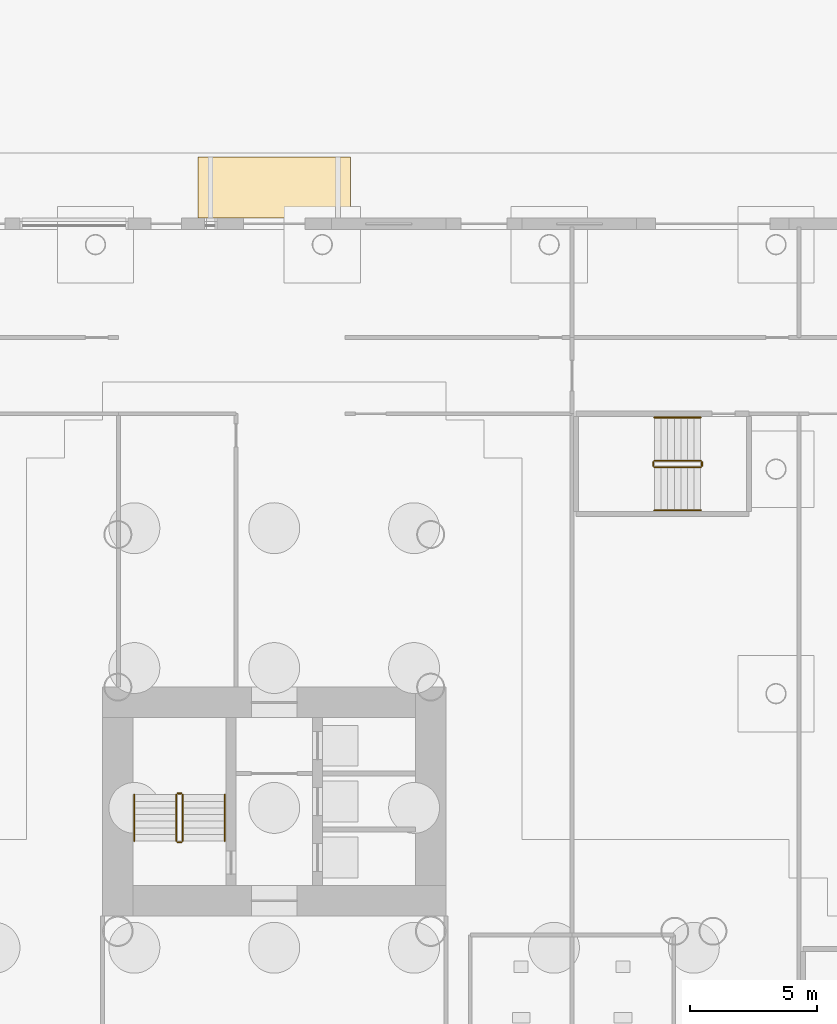
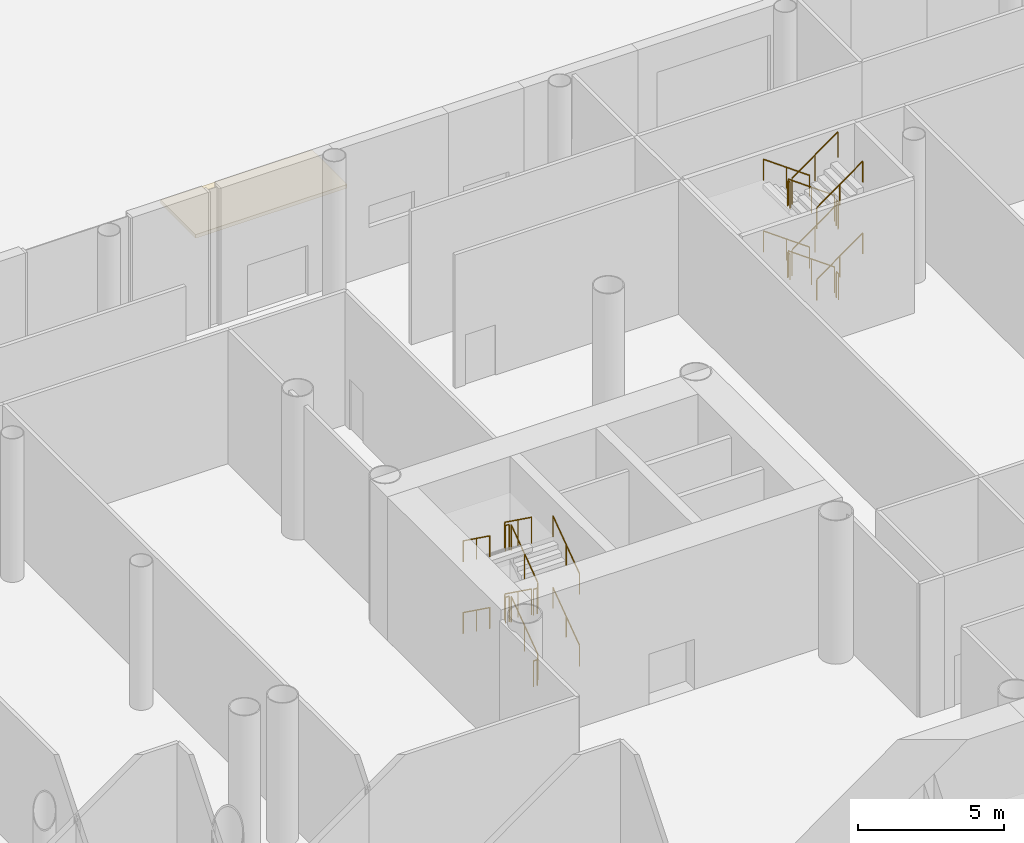
# One storey, part 72 of 75: 24 railings, 1 covering.
"""IFC4 building model written with IfcOpenShell, lengths in metres."""

import ifcopenshell
import ifcopenshell.guid

model = None  # the IFC model being written
_history = None  # IfcOwnerHistory: only IFC2X3 demands one
_inside = {}  # id of a spatial element -> (the spatial element, [elements in it])
_under = {}  # id of a project, library or spatial element -> (it, [spatial elements below it])
_declared = {}  # id of a project -> (the project, [libraries it declares])
_typed = {}  # id of a type object -> (the type object, [elements of that type])
_made_of = {}  # id of a material, layer set ... -> (it, [elements and type objects made of it])


def new_model(schema):
    """Start an empty IFC model of exactly this schema.

    Asked for "IFC4X3", IfcOpenShell would pick the latest addendum, in which some entities
    have other attributes; the version numbers below select the first issue.
    IFC2X3 requires an IfcOwnerHistory on every rooted entity: one is made here for all.
    """
    global model, _history
    if schema == "IFC4X3":
        model = ifcopenshell.file(schema_version=(4, 3, 0, 0))
    else:
        model = ifcopenshell.file(schema=schema)
    _inside.clear()
    _under.clear()
    _declared.clear()
    _typed.clear()
    _made_of.clear()
    _history = None
    if model.schema == "IFC2X3":
        org = make("IfcOrganization", Name="unknown")
        user = make(
            "IfcPersonAndOrganization",
            ThePerson=make("IfcPerson", FamilyName="unknown"),
            TheOrganization=org,
        )
        app = make(
            "IfcApplication",
            ApplicationDeveloper=org,
            Version="unknown",
            ApplicationFullName="unknown",
            ApplicationIdentifier="unknown",
        )
        _history = make(
            "IfcOwnerHistory",
            OwningUser=user,
            OwningApplication=app,
            ChangeAction="ADDED",
            CreationDate=0,
        )
    return model


def make(cls, **values):
    """One entity of the class cls with the attributes given. An attribute that is None is left unset."""
    return model.create_entity(
        cls, **{name: value for name, value in values.items() if value is not None}
    )


def rooted(cls, **values):
    """An entity with a GlobalId (a new one), such as an element, a storey or a relation."""
    return make(cls, GlobalId=ifcopenshell.guid.new(), OwnerHistory=_history, **values)


def si_unit(unit_type, name, prefix=None):
    """IfcSIUnit, for example si_unit("LENGTHUNIT", "METRE", prefix="MILLI")."""
    return make("IfcSIUnit", UnitType=unit_type, Prefix=prefix, Name=name)


def assignment(units):
    """IfcUnitAssignment: the units of a project."""
    return None if units is None else make("IfcUnitAssignment", Units=units)


def point(xyz):
    """IfcCartesianPoint."""
    return None if xyz is None else make("IfcCartesianPoint", Coordinates=xyz)


def direction(xyz):
    """IfcDirection."""
    return None if xyz is None else make("IfcDirection", DirectionRatios=xyz)


def frame(location, z_axis=None, x_axis=None):
    """IfcAxis2Placement3D, a coordinate frame: its origin and axes. An axis left out is left unset."""
    return make(
        "IfcAxis2Placement3D",
        Location=point(location),
        Axis=direction(z_axis),
        RefDirection=direction(x_axis),
    )


def frame_2d(location, x_axis=None):
    """IfcAxis2Placement2D, a coordinate frame in the plane: its origin and x axis."""
    return make(
        "IfcAxis2Placement2D", Location=point(location), RefDirection=direction(x_axis)
    )


def origin():
    """The frame at (0, 0, 0) with its axes left unset."""
    return frame((0.0, 0.0, 0.0))


def origin_2d():
    """The frame at (0, 0) in the plane with its x axis left unset."""
    return frame_2d((0.0, 0.0))


def place(relative_to, where):
    """IfcLocalPlacement: puts the frame where relative to a parent placement (None: the world)."""
    return make(
        "IfcLocalPlacement", PlacementRelTo=relative_to, RelativePlacement=where
    )


def context(
    kind, dimensions, precision=None, world=None, true_north=None, identifier=None
):
    """IfcGeometricRepresentationContext, for example the 3D "Model" context."""
    return make(
        "IfcGeometricRepresentationContext",
        ContextIdentifier=identifier,
        ContextType=kind,
        CoordinateSpaceDimension=dimensions,
        Precision=precision,
        WorldCoordinateSystem=world,
        TrueNorth=true_north,
    )


def subcontext(parent, identifier, kind, view, scale=None):
    """IfcGeometricRepresentationSubContext, for example "Body" below "Model"."""
    return make(
        "IfcGeometricRepresentationSubContext",
        ContextIdentifier=identifier,
        ContextType=kind,
        ParentContext=parent,
        TargetScale=scale,
        TargetView=view,
    )


def project(units=None, contexts=None):
    """IfcProject with its units and contexts."""
    return rooted(
        "IfcProject",
        Name="project",
        RepresentationContexts=contexts,
        UnitsInContext=assignment(units),
    )


def spatial(cls, under=None, at=None, **own):
    """A site, building, storey or space (cls), placed at a placement, below another one or the project."""
    s = rooted(cls, ObjectPlacement=at, **own)
    if under is not None:
        _under.setdefault(under.id(), (under, []))[1].append(s)
    return s


def polyline(points):
    """IfcPolyline through the points."""
    return make("IfcPolyline", Points=[point(p) for p in points])


def profile(cls, at=None, kind="AREA", **sizes):
    """A parametric profile (cls). Its sizes go by their IFC names, for example OverallWidth=200.0."""
    return make(cls, ProfileType=kind, Position=at, **sizes)


def circle(**sizes):
    """IfcCircleProfileDef."""
    return profile("IfcCircleProfileDef", **sizes)


def outline(outer, holes=None, kind="AREA"):
    """IfcArbitraryClosedProfileDef: a profile drawn as a closed curve; with holes, ...WithVoids."""
    if holes is None:
        return make("IfcArbitraryClosedProfileDef", ProfileType=kind, OuterCurve=outer)
    return make(
        "IfcArbitraryProfileDefWithVoids",
        ProfileType=kind,
        OuterCurve=outer,
        InnerCurves=holes,
    )


def extrude(swept, where, along, depth):
    """IfcExtrudedAreaSolid: the profile swept, set in the frame where, extruded along a direction by depth."""
    return make(
        "IfcExtrudedAreaSolid",
        SweptArea=swept,
        Position=where,
        ExtrudedDirection=direction(along),
        Depth=depth,
    )


def shape(context_of_items, identifier, shape_type, items):
    """IfcShapeRepresentation: the items that make up one representation, for example the "Body"."""
    return make(
        "IfcShapeRepresentation",
        ContextOfItems=context_of_items,
        RepresentationIdentifier=identifier,
        RepresentationType=shape_type,
        Items=items,
    )


def material(Name=None, Category=None):
    """IfcMaterial."""
    return make("IfcMaterial", Name=Name, Category=Category)


def layer(
    of_material, thickness, ventilated=None, Name=None, Category=None, Priority=None
):
    """IfcMaterialLayer: one layer of a wall or slab, of a material (None: an air gap)."""
    return make(
        "IfcMaterialLayer",
        Material=of_material,
        LayerThickness=thickness,
        IsVentilated=ventilated,
        Name=Name,
        Category=Category,
        Priority=Priority,
    )


def layer_set(layers, Name=None):
    """IfcMaterialLayerSet."""
    return make("IfcMaterialLayerSet", MaterialLayers=layers, LayerSetName=Name)


def made_of(thing, what):
    """Note that an element or type object is made of a material, layer set ...; save() writes the relation."""
    if what is not None:
        _made_of.setdefault(what.id(), (what, []))[1].append(thing)
    return thing


def type_object(cls, material=None, **own):
    """A type object (cls), such as IfcWallType, which elements share."""
    return made_of(rooted(cls, **own), material)


def element(
    cls,
    number,
    at=None,
    inside=None,
    cuts=None,
    type_object=None,
    material=None,
    context=None,
    identifier="Body",
    shape_type=None,
    held_by="IfcProductDefinitionShape",
    body=None,
    shapes=None,
    **own,
):
    """One element of the class cls, such as IfcWall. Its Tag is "e" and its number.

    at: its placement. inside: the storey or other place that contains it. cuts: it is an
    opening in that element (IfcRelVoidsElement). A single representation is given by context,
    identifier, shape_type and body (its items); several are given by shapes. held_by: the class
    of the entity that holds the representations. save() writes the other relations.
    """
    e = rooted(cls, Tag="e%d" % number, ObjectPlacement=at, **own)
    if body is not None:
        shapes = [shape(context, identifier, shape_type, body)]
    if shapes is not None:
        e.Representation = make(held_by, Representations=shapes)
    if inside is not None:
        _inside.setdefault(inside.id(), (inside, []))[1].append(e)
    if cuts is not None:
        rooted(
            "IfcRelVoidsElement", RelatingBuildingElement=cuts, RelatedOpeningElement=e
        )
    if type_object is not None:
        _typed.setdefault(type_object.id(), (type_object, []))[1].append(e)
    return made_of(e, material)


def aggregate(whole, parts):
    """IfcRelAggregates: a whole, such as a stair, and the parts it consists of."""
    return rooted("IfcRelAggregates", RelatingObject=whole, RelatedObjects=parts)


def save(model, path):
    """Write the relations noted so far, then the file.

    IfcRelAggregates (storeys below a building ...), IfcRelContainedInSpatialStructure (elements
    in a storey), IfcRelDefinesByType, IfcRelAssociatesMaterial and IfcRelDeclares: one each for
    every whole, place, type object, material and project.
    """
    for whole, parts in _under.values():
        aggregate(whole, parts)
    for where, things in _inside.values():
        rooted(
            "IfcRelContainedInSpatialStructure",
            RelatedElements=things,
            RelatingStructure=where,
        )
    for kind, things in _typed.values():
        rooted("IfcRelDefinesByType", RelatedObjects=things, RelatingType=kind)
    for what, things in _made_of.values():
        rooted("IfcRelAssociatesMaterial", RelatedObjects=things, RelatingMaterial=what)
    for by, libraries in _declared.values():
        rooted("IfcRelDeclares", RelatingContext=by, RelatedDefinitions=libraries)
    model.write(path)


model = new_model("IFC4")

# Units and contexts
model_context = context("Model", 3, precision=1e-05, world=origin(), true_north=direction((0.0, 1.0)))
body_context = subcontext(model_context, "Body", "Model", "MODEL_VIEW")
ifc_project = project(units=[si_unit("LENGTHUNIT", "METRE"), si_unit("AREAUNIT", "SQUARE_METRE"), si_unit("VOLUMEUNIT", "CUBIC_METRE"), si_unit("PLANEANGLEUNIT", "RADIAN"), si_unit("MASSUNIT", "GRAM", prefix="KILO")], contexts=[model_context])

# Site, building, storey
site_placement = place(None, origin())
site = spatial("IfcSite", under=ifc_project, at=site_placement, CompositionType="ELEMENT")
building_placement = place(site_placement, origin())
building = spatial("IfcBuilding", under=site, at=building_placement, Name="Ipe Terrace Towers", CompositionType="ELEMENT")
storey_placement = place(building_placement, origin())
storey = spatial("IfcBuildingStorey", under=building, at=storey_placement, Name="L00", CompositionType="ELEMENT", Elevation=0.0)

# Covering
ifc_material_1 = material(Name="Steel S355 framed laminated glass canopy", Category="steel")
ifc_layer = layer(ifc_material_1, 0.14990234375)
ifc_layer_set = layer_set([ifc_layer], Name="ENTRANCE CANOPY 150")
covering_type = type_object("IfcCoveringType", Name="ENTRANCE CANOPY 150", PredefinedType="USERDEFINED", material=ifc_layer_set)
covering_placement = place(storey_placement, frame((0.0, 0.0, 3.60009765625)))
element("IfcCovering", 1, at=covering_placement, inside=storey, type_object=covering_type, Name="entrance canopy", ObjectType="CANOPY", PredefinedType="USERDEFINED", context=body_context, shape_type="SweptSolid", body=[
    extrude(outline(polyline([(33.0, 34.18994140625), (39.0, 34.18994140625), (39.0, 36.590087890625), (33.0, 36.590087890625), (33.0, 34.18994140625)])), origin(), (0.0, 0.0, 1.0), 0.14990234375),
])

# Railings
ifc_material_2 = material(Name="Steel S355", Category="steel")
railing_type_1 = type_object("IfcRailingType", Name="Stair guard 1100", PredefinedType="GUARDRAIL", material=ifc_material_2)
railing_1_placement = place(storey_placement, frame((32.39990234375, 9.699951171875, 0.1875)))
element("IfcRailing", 2, at=railing_1_placement, inside=storey, type_object=railing_type_1, Name="L00 T2-ST1 stair guard 1", PredefinedType="GUARDRAIL", context=body_context, shape_type="SweptSolid", body=[
    extrude(circle(Radius=0.02392578125, at=origin_2d()), frame((0.0, 0.0, 1.076171875), z_axis=(0.0, 0.811100754333, 0.584906459462), x_axis=(-1.0, 0.0, 0.0)), (0.0, 0.0, 1.0), 2.243896484375),
    extrude(circle(Radius=0.02099609375, at=origin_2d()), origin(), (0.0, 0.0, 1.0), 1.052001953125),
    extrude(circle(Radius=0.02099609375, at=origin_2d()), frame((0.0, 0.91015625, 0.65625)), (0.0, 0.0, 1.0), 1.052001953125),
    extrude(circle(Radius=0.02099609375, at=origin_2d()), frame((0.0, 1.820068359375, 1.3125)), (0.0, 0.0, 1.0), 1.052001953125),
])
railing_2_placement = place(storey_placement, frame((32.35009765625, 11.570068359375, 1.5)))
element("IfcRailing", 3, at=railing_2_placement, inside=storey, type_object=railing_type_1, Name="L00 T2-ST1 stair guard 2", PredefinedType="GUARDRAIL", context=body_context, shape_type="SweptSolid", body=[
    extrude(circle(Radius=0.02392578125, at=origin_2d()), frame((0.0, 0.0, 1.076171875), z_axis=(-1.0, 0.0, 0.0), x_axis=(0.0, -1.0, 0.0)), (0.0, 0.0, 1.0), 0.150146484375),
    extrude(circle(Radius=0.02099609375, at=origin_2d()), origin(), (0.0, 0.0, 1.0), 1.052001953125),
    extrude(circle(Radius=0.02099609375, at=origin_2d()), frame((-0.150146484375, 0.0, 0.0)), (0.0, 0.0, 1.0), 1.052001953125),
])
railing_3_placement = place(storey_placement, frame((32.14990234375, 11.52001953125, 1.6875)))
element("IfcRailing", 4, at=railing_3_placement, inside=storey, type_object=railing_type_1, Name="L00 T2-ST1 stair guard 3", PredefinedType="GUARDRAIL", context=body_context, shape_type="SweptSolid", body=[
    extrude(circle(Radius=0.02392578125, at=origin_2d()), frame((0.0, 0.0, 1.076171875), z_axis=(0.0, -0.811100754333, 0.584906459462), x_axis=(1.0, 0.0, 0.0)), (0.0, 0.0, 1.0), 2.243896484375),
    extrude(circle(Radius=0.02099609375, at=origin_2d()), origin(), (0.0, 0.0, 1.0), 1.052001953125),
    extrude(circle(Radius=0.02099609375, at=origin_2d()), frame((0.0, -0.91015625, 0.65625)), (0.0, 0.0, 1.0), 1.052001953125),
    extrude(circle(Radius=0.02099609375, at=origin_2d()), frame((0.0, -1.820068359375, 1.3125)), (0.0, 0.0, 1.0), 1.052001953125),
])
railing_4_placement = place(storey_placement, frame((32.35009765625, 9.64990234375, 3.0)))
element("IfcRailing", 5, at=railing_4_placement, inside=storey, type_object=railing_type_1, Name="L00 T2-ST1 stair guard 4", PredefinedType="GUARDRAIL", context=body_context, shape_type="SweptSolid", body=[
    extrude(circle(Radius=0.02392578125, at=origin_2d()), frame((0.0, 0.0, 1.076171875), z_axis=(-1.0, 0.0, 0.0), x_axis=(0.0, -1.0, 0.0)), (0.0, 0.0, 1.0), 0.150146484375),
    extrude(circle(Radius=0.02099609375, at=origin_2d()), origin(), (0.0, 0.0, 1.0), 1.052001953125),
    extrude(circle(Radius=0.02099609375, at=origin_2d()), frame((-0.150146484375, 0.0, 0.0)), (0.0, 0.0, 1.0), 1.052001953125),
])
railing_5_placement = place(storey_placement, frame((32.39990234375, 9.699951171875, 3.1875)))
element("IfcRailing", 6, at=railing_5_placement, inside=storey, type_object=railing_type_1, Name="L00 T2-ST1 stair guard 5", PredefinedType="GUARDRAIL", context=body_context, shape_type="SweptSolid", body=[
    extrude(circle(Radius=0.02392578125, at=origin_2d()), frame((0.0, 0.0, 1.076171875), z_axis=(0.0, 0.811100754333, 0.584906459462), x_axis=(-1.0, 0.0, 0.0)), (0.0, 0.0, 1.0), 2.243896484375),
    extrude(circle(Radius=0.02099609375, at=origin_2d()), origin(), (0.0, 0.0, 1.0), 1.052001953125),
    extrude(circle(Radius=0.02099609375, at=origin_2d()), frame((0.0, 0.91015625, 0.65625)), (0.0, 0.0, 1.0), 1.052001953125),
    extrude(circle(Radius=0.02099609375, at=origin_2d()), frame((0.0, 1.820068359375, 1.3125)), (0.0, 0.0, 1.0), 1.052001953125),
])
railing_6_placement = place(storey_placement, frame((32.35009765625, 11.570068359375, 4.5)))
element("IfcRailing", 7, at=railing_6_placement, inside=storey, type_object=railing_type_1, Name="L00 T2-ST1 stair guard 6", PredefinedType="GUARDRAIL", context=body_context, shape_type="SweptSolid", body=[
    extrude(circle(Radius=0.02392578125, at=origin_2d()), frame((0.0, 0.0, 1.076171875), z_axis=(-1.0, 0.0, 0.0), x_axis=(0.0, -1.0, 0.0)), (0.0, 0.0, 1.0), 0.150146484375),
    extrude(circle(Radius=0.02099609375, at=origin_2d()), origin(), (0.0, 0.0, 1.0), 1.052001953125),
    extrude(circle(Radius=0.02099609375, at=origin_2d()), frame((-0.150146484375, 0.0, 0.0)), (0.0, 0.0, 1.0), 1.052001953125),
])
railing_7_placement = place(storey_placement, frame((32.14990234375, 11.52001953125, 4.6875)))
element("IfcRailing", 8, at=railing_7_placement, inside=storey, type_object=railing_type_1, Name="L00 T2-ST1 stair guard 7", PredefinedType="GUARDRAIL", context=body_context, shape_type="SweptSolid", body=[
    extrude(circle(Radius=0.02392578125, at=origin_2d()), frame((0.0, 0.0, 1.076171875), z_axis=(0.0, -0.811100754333, 0.584906459462), x_axis=(1.0, 0.0, 0.0)), (0.0, 0.0, 1.0), 2.243896484375),
    extrude(circle(Radius=0.02099609375, at=origin_2d()), origin(), (0.0, 0.0, 1.0), 1.052001953125),
    extrude(circle(Radius=0.02099609375, at=origin_2d()), frame((0.0, -0.91015625, 0.65625)), (0.0, 0.0, 1.0), 1.052001953125),
    extrude(circle(Radius=0.02099609375, at=origin_2d()), frame((0.0, -1.820068359375, 1.3125)), (0.0, 0.0, 1.0), 1.052001953125),
])
railing_8_placement = place(storey_placement, frame((32.35009765625, 9.64990234375, 0.0)))
element("IfcRailing", 9, at=railing_8_placement, inside=storey, type_object=railing_type_1, Name="L00 T2-ST1 stair guard 8", PredefinedType="GUARDRAIL", context=body_context, shape_type="SweptSolid", body=[
    extrude(circle(Radius=0.02392578125, at=origin_2d()), frame((0.0, 0.0, 1.076171875), z_axis=(-1.0, 0.0, 0.0), x_axis=(0.0, -1.0, 0.0)), (0.0, 0.0, 1.0), 0.150146484375),
    extrude(circle(Radius=0.02099609375, at=origin_2d()), origin(), (0.0, 0.0, 1.0), 1.052001953125),
    extrude(circle(Radius=0.02099609375, at=origin_2d()), frame((-0.150146484375, 0.0, 0.0)), (0.0, 0.0, 1.0), 1.052001953125),
])
railing_9_placement = place(storey_placement, frame((52.77001953125, 24.64990234375, 0.1875)))
element("IfcRailing", 10, at=railing_9_placement, inside=storey, type_object=railing_type_1, Name="L00 PS3 stair guard 1", PredefinedType="GUARDRAIL", context=body_context, shape_type="SweptSolid", body=[
    extrude(circle(Radius=0.02392578125, at=origin_2d()), frame((0.0, 0.0, 1.076171875), z_axis=(-0.811100754333, 0.0, 0.584906459462), x_axis=(0.0, -1.0, 0.0)), (0.0, 0.0, 1.0), 2.243896484375),
    extrude(circle(Radius=0.02099609375, at=origin_2d()), origin(), (0.0, 0.0, 1.0), 1.052001953125),
    extrude(circle(Radius=0.02099609375, at=origin_2d()), frame((-0.91015625, 0.0, 0.65625)), (0.0, 0.0, 1.0), 1.052001953125),
    extrude(circle(Radius=0.02099609375, at=origin_2d()), frame((-1.820068359375, 0.0, 1.3125)), (0.0, 0.0, 1.0), 1.052001953125),
])
railing_10_placement = place(storey_placement, frame((50.89990234375, 24.60009765625, 1.5)))
element("IfcRailing", 11, at=railing_10_placement, inside=storey, type_object=railing_type_1, Name="L00 PS3 stair guard 2", PredefinedType="GUARDRAIL", context=body_context, shape_type="SweptSolid", body=[
    extrude(circle(Radius=0.02392578125, at=origin_2d()), frame((0.0, 0.0, 1.076171875), z_axis=(0.0, -1.0, 0.0), x_axis=(1.0, 0.0, 0.0)), (0.0, 0.0, 1.0), 0.150146484375),
    extrude(circle(Radius=0.02099609375, at=origin_2d()), origin(), (0.0, 0.0, 1.0), 1.052001953125),
    extrude(circle(Radius=0.02099609375, at=origin_2d()), frame((0.0, -0.150146484375, 0.0)), (0.0, 0.0, 1.0), 1.052001953125),
])
railing_11_placement = place(storey_placement, frame((50.949951171875, 24.39990234375, 1.6875)))
element("IfcRailing", 12, at=railing_11_placement, inside=storey, type_object=railing_type_1, Name="L00 PS3 stair guard 3", PredefinedType="GUARDRAIL", context=body_context, shape_type="SweptSolid", body=[
    extrude(circle(Radius=0.02392578125, at=origin_2d()), frame((0.0, 0.0, 1.076171875), z_axis=(0.811100754333, 0.0, 0.584906459462), x_axis=(0.0, 1.0, 0.0)), (0.0, 0.0, 1.0), 2.243896484375),
    extrude(circle(Radius=0.02099609375, at=origin_2d()), origin(), (0.0, 0.0, 1.0), 1.052001953125),
    extrude(circle(Radius=0.02099609375, at=origin_2d()), frame((0.91015625, 0.0, 0.65625)), (0.0, 0.0, 1.0), 1.052001953125),
    extrude(circle(Radius=0.02099609375, at=origin_2d()), frame((1.820068359375, 0.0, 1.3125)), (0.0, 0.0, 1.0), 1.052001953125),
])
railing_12_placement = place(storey_placement, frame((52.820068359375, 24.60009765625, 3.0)))
element("IfcRailing", 13, at=railing_12_placement, inside=storey, type_object=railing_type_1, Name="L00 PS3 stair guard 4", PredefinedType="GUARDRAIL", context=body_context, shape_type="SweptSolid", body=[
    extrude(circle(Radius=0.02392578125, at=origin_2d()), frame((0.0, 0.0, 1.076171875), z_axis=(0.0, -1.0, 0.0), x_axis=(1.0, 0.0, 0.0)), (0.0, 0.0, 1.0), 0.150146484375),
    extrude(circle(Radius=0.02099609375, at=origin_2d()), origin(), (0.0, 0.0, 1.0), 1.052001953125),
    extrude(circle(Radius=0.02099609375, at=origin_2d()), frame((0.0, -0.150146484375, 0.0)), (0.0, 0.0, 1.0), 1.052001953125),
])
railing_13_placement = place(storey_placement, frame((52.77001953125, 24.64990234375, 3.1875)))
element("IfcRailing", 14, at=railing_13_placement, inside=storey, type_object=railing_type_1, Name="L00 PS3 stair guard 5", PredefinedType="GUARDRAIL", context=body_context, shape_type="SweptSolid", body=[
    extrude(circle(Radius=0.02392578125, at=origin_2d()), frame((0.0, 0.0, 1.076171875), z_axis=(-0.811100754333, 0.0, 0.584906459462), x_axis=(0.0, -1.0, 0.0)), (0.0, 0.0, 1.0), 2.243896484375),
    extrude(circle(Radius=0.02099609375, at=origin_2d()), origin(), (0.0, 0.0, 1.0), 1.052001953125),
    extrude(circle(Radius=0.02099609375, at=origin_2d()), frame((-0.91015625, 0.0, 0.65625)), (0.0, 0.0, 1.0), 1.052001953125),
    extrude(circle(Radius=0.02099609375, at=origin_2d()), frame((-1.820068359375, 0.0, 1.3125)), (0.0, 0.0, 1.0), 1.052001953125),
])
railing_14_placement = place(storey_placement, frame((50.89990234375, 24.60009765625, 4.5)))
element("IfcRailing", 15, at=railing_14_placement, inside=storey, type_object=railing_type_1, Name="L00 PS3 stair guard 6", PredefinedType="GUARDRAIL", context=body_context, shape_type="SweptSolid", body=[
    extrude(circle(Radius=0.02392578125, at=origin_2d()), frame((0.0, 0.0, 1.076171875), z_axis=(0.0, -1.0, 0.0), x_axis=(1.0, 0.0, 0.0)), (0.0, 0.0, 1.0), 0.150146484375),
    extrude(circle(Radius=0.02099609375, at=origin_2d()), origin(), (0.0, 0.0, 1.0), 1.052001953125),
    extrude(circle(Radius=0.02099609375, at=origin_2d()), frame((0.0, -0.150146484375, 0.0)), (0.0, 0.0, 1.0), 1.052001953125),
])
railing_15_placement = place(storey_placement, frame((50.949951171875, 24.39990234375, 4.6875)))
element("IfcRailing", 16, at=railing_15_placement, inside=storey, type_object=railing_type_1, Name="L00 PS3 stair guard 7", PredefinedType="GUARDRAIL", context=body_context, shape_type="SweptSolid", body=[
    extrude(circle(Radius=0.02392578125, at=origin_2d()), frame((0.0, 0.0, 1.076171875), z_axis=(0.811100754333, 0.0, 0.584906459462), x_axis=(0.0, 1.0, 0.0)), (0.0, 0.0, 1.0), 2.243896484375),
    extrude(circle(Radius=0.02099609375, at=origin_2d()), origin(), (0.0, 0.0, 1.0), 1.052001953125),
    extrude(circle(Radius=0.02099609375, at=origin_2d()), frame((0.91015625, 0.0, 0.65625)), (0.0, 0.0, 1.0), 1.052001953125),
    extrude(circle(Radius=0.02099609375, at=origin_2d()), frame((1.820068359375, 0.0, 1.3125)), (0.0, 0.0, 1.0), 1.052001953125),
])
railing_16_placement = place(storey_placement, frame((52.820068359375, 24.60009765625, 0.0)))
element("IfcRailing", 17, at=railing_16_placement, inside=storey, type_object=railing_type_1, Name="L00 PS3 stair guard 8", PredefinedType="GUARDRAIL", context=body_context, shape_type="SweptSolid", body=[
    extrude(circle(Radius=0.02392578125, at=origin_2d()), frame((0.0, 0.0, 1.076171875), z_axis=(0.0, -1.0, 0.0), x_axis=(1.0, 0.0, 0.0)), (0.0, 0.0, 1.0), 0.150146484375),
    extrude(circle(Radius=0.02099609375, at=origin_2d()), origin(), (0.0, 0.0, 1.0), 1.052001953125),
    extrude(circle(Radius=0.02099609375, at=origin_2d()), frame((0.0, -0.150146484375, 0.0)), (0.0, 0.0, 1.0), 1.052001953125),
])
ifc_material_3 = material(Name="Stainless steel grade 304", Category="steel")
railing_type_2 = type_object("IfcRailingType", Name="Stair handrail 900", PredefinedType="HANDRAIL", material=ifc_material_3)
railing_17_placement = place(storey_placement, frame((34.050048828125, 9.699951171875, 0.1875)))
element("IfcRailing", 18, at=railing_17_placement, inside=storey, type_object=railing_type_2, Name="L00 T2-ST1 stair handrail 1", PredefinedType="HANDRAIL", context=body_context, shape_type="SweptSolid", body=[
    extrude(circle(Radius=0.02392578125, at=origin_2d()), frame((0.0, 0.0, 0.8759765625), z_axis=(0.0, 0.811100754333, 0.584906459462), x_axis=(-1.0, 0.0, 0.0)), (0.0, 0.0, 1.0), 2.243896484375),
    extrude(circle(Radius=0.02099609375, at=origin_2d()), origin(), (0.0, 0.0, 1.0), 0.851806640625),
    extrude(circle(Radius=0.02099609375, at=origin_2d()), frame((0.0, 0.91015625, 0.65625)), (0.0, 0.0, 1.0), 0.851806640625),
    extrude(circle(Radius=0.02099609375, at=origin_2d()), frame((0.0, 1.820068359375, 1.3125)), (0.0, 0.0, 1.0), 0.851806640625),
])
railing_18_placement = place(storey_placement, frame((30.5, 11.52001953125, 1.6875)))
element("IfcRailing", 19, at=railing_18_placement, inside=storey, type_object=railing_type_2, Name="L00 T2-ST1 stair handrail 2", PredefinedType="HANDRAIL", context=body_context, shape_type="SweptSolid", body=[
    extrude(circle(Radius=0.02392578125, at=origin_2d()), frame((0.0, 0.0, 0.8759765625), z_axis=(0.0, -0.811100754333, 0.584906459462), x_axis=(1.0, 0.0, 0.0)), (0.0, 0.0, 1.0), 2.243896484375),
    extrude(circle(Radius=0.02099609375, at=origin_2d()), origin(), (0.0, 0.0, 1.0), 0.851806640625),
    extrude(circle(Radius=0.02099609375, at=origin_2d()), frame((0.0, -0.91015625, 0.65625)), (0.0, 0.0, 1.0), 0.851806640625),
    extrude(circle(Radius=0.02099609375, at=origin_2d()), frame((0.0, -1.820068359375, 1.3125)), (0.0, 0.0, 1.0), 0.851806640625),
])
railing_19_placement = place(storey_placement, frame((34.050048828125, 9.699951171875, 3.1875)))
element("IfcRailing", 20, at=railing_19_placement, inside=storey, type_object=railing_type_2, Name="L00 T2-ST1 stair handrail 3", PredefinedType="HANDRAIL", context=body_context, shape_type="SweptSolid", body=[
    extrude(circle(Radius=0.02392578125, at=origin_2d()), frame((0.0, 0.0, 0.8759765625), z_axis=(0.0, 0.811100754333, 0.584906459462), x_axis=(-1.0, 0.0, 0.0)), (0.0, 0.0, 1.0), 2.243896484375),
    extrude(circle(Radius=0.02099609375, at=origin_2d()), origin(), (0.0, 0.0, 1.0), 0.851806640625),
    extrude(circle(Radius=0.02099609375, at=origin_2d()), frame((0.0, 0.91015625, 0.65625)), (0.0, 0.0, 1.0), 0.851806640625),
    extrude(circle(Radius=0.02099609375, at=origin_2d()), frame((0.0, 1.820068359375, 1.3125)), (0.0, 0.0, 1.0), 0.851806640625),
])
railing_20_placement = place(storey_placement, frame((30.5, 11.52001953125, 4.6875)))
element("IfcRailing", 21, at=railing_20_placement, inside=storey, type_object=railing_type_2, Name="L00 T2-ST1 stair handrail 4", PredefinedType="HANDRAIL", context=body_context, shape_type="SweptSolid", body=[
    extrude(circle(Radius=0.02392578125, at=origin_2d()), frame((0.0, 0.0, 0.8759765625), z_axis=(0.0, -0.811100754333, 0.584906459462), x_axis=(1.0, 0.0, 0.0)), (0.0, 0.0, 1.0), 2.243896484375),
    extrude(circle(Radius=0.02099609375, at=origin_2d()), origin(), (0.0, 0.0, 1.0), 0.851806640625),
    extrude(circle(Radius=0.02099609375, at=origin_2d()), frame((0.0, -0.91015625, 0.65625)), (0.0, 0.0, 1.0), 0.851806640625),
    extrude(circle(Radius=0.02099609375, at=origin_2d()), frame((0.0, -1.820068359375, 1.3125)), (0.0, 0.0, 1.0), 0.851806640625),
])
railing_21_placement = place(storey_placement, frame((52.77001953125, 26.35009765625, 0.1875)))
element("IfcRailing", 22, at=railing_21_placement, inside=storey, type_object=railing_type_2, Name="L00 PS3 stair handrail 1", PredefinedType="HANDRAIL", context=body_context, shape_type="SweptSolid", body=[
    extrude(circle(Radius=0.02392578125, at=origin_2d()), frame((0.0, 0.0, 0.8759765625), z_axis=(-0.811100754333, 0.0, 0.584906459462), x_axis=(0.0, -1.0, 0.0)), (0.0, 0.0, 1.0), 2.243896484375),
    extrude(circle(Radius=0.02099609375, at=origin_2d()), origin(), (0.0, 0.0, 1.0), 0.851806640625),
    extrude(circle(Radius=0.02099609375, at=origin_2d()), frame((-0.91015625, 0.0, 0.65625)), (0.0, 0.0, 1.0), 0.851806640625),
    extrude(circle(Radius=0.02099609375, at=origin_2d()), frame((-1.820068359375, 0.0, 1.3125)), (0.0, 0.0, 1.0), 0.851806640625),
])
railing_22_placement = place(storey_placement, frame((50.949951171875, 22.699951171875, 1.6875)))
element("IfcRailing", 23, at=railing_22_placement, inside=storey, type_object=railing_type_2, Name="L00 PS3 stair handrail 2", PredefinedType="HANDRAIL", context=body_context, shape_type="SweptSolid", body=[
    extrude(circle(Radius=0.02392578125, at=origin_2d()), frame((0.0, 0.0, 0.8759765625), z_axis=(0.811100754333, 0.0, 0.584906459462), x_axis=(0.0, 1.0, 0.0)), (0.0, 0.0, 1.0), 2.243896484375),
    extrude(circle(Radius=0.02099609375, at=origin_2d()), origin(), (0.0, 0.0, 1.0), 0.851806640625),
    extrude(circle(Radius=0.02099609375, at=origin_2d()), frame((0.91015625, 0.0, 0.65625)), (0.0, 0.0, 1.0), 0.851806640625),
    extrude(circle(Radius=0.02099609375, at=origin_2d()), frame((1.820068359375, 0.0, 1.3125)), (0.0, 0.0, 1.0), 0.851806640625),
])
railing_23_placement = place(storey_placement, frame((52.77001953125, 26.35009765625, 3.1875)))
element("IfcRailing", 24, at=railing_23_placement, inside=storey, type_object=railing_type_2, Name="L00 PS3 stair handrail 3", PredefinedType="HANDRAIL", context=body_context, shape_type="SweptSolid", body=[
    extrude(circle(Radius=0.02392578125, at=origin_2d()), frame((0.0, 0.0, 0.8759765625), z_axis=(-0.811100754333, 0.0, 0.584906459462), x_axis=(0.0, -1.0, 0.0)), (0.0, 0.0, 1.0), 2.243896484375),
    extrude(circle(Radius=0.02099609375, at=origin_2d()), origin(), (0.0, 0.0, 1.0), 0.851806640625),
    extrude(circle(Radius=0.02099609375, at=origin_2d()), frame((-0.91015625, 0.0, 0.65625)), (0.0, 0.0, 1.0), 0.851806640625),
    extrude(circle(Radius=0.02099609375, at=origin_2d()), frame((-1.820068359375, 0.0, 1.3125)), (0.0, 0.0, 1.0), 0.851806640625),
])
railing_24_placement = place(storey_placement, frame((50.949951171875, 22.699951171875, 4.6875)))
element("IfcRailing", 25, at=railing_24_placement, inside=storey, type_object=railing_type_2, Name="L00 PS3 stair handrail 4", PredefinedType="HANDRAIL", context=body_context, shape_type="SweptSolid", body=[
    extrude(circle(Radius=0.02392578125, at=origin_2d()), frame((0.0, 0.0, 0.8759765625), z_axis=(0.811100754333, 0.0, 0.584906459462), x_axis=(0.0, 1.0, 0.0)), (0.0, 0.0, 1.0), 2.243896484375),
    extrude(circle(Radius=0.02099609375, at=origin_2d()), origin(), (0.0, 0.0, 1.0), 0.851806640625),
    extrude(circle(Radius=0.02099609375, at=origin_2d()), frame((0.91015625, 0.0, 0.65625)), (0.0, 0.0, 1.0), 0.851806640625),
    extrude(circle(Radius=0.02099609375, at=origin_2d()), frame((1.820068359375, 0.0, 1.3125)), (0.0, 0.0, 1.0), 0.851806640625),
])

save(model, "model.ifc")
